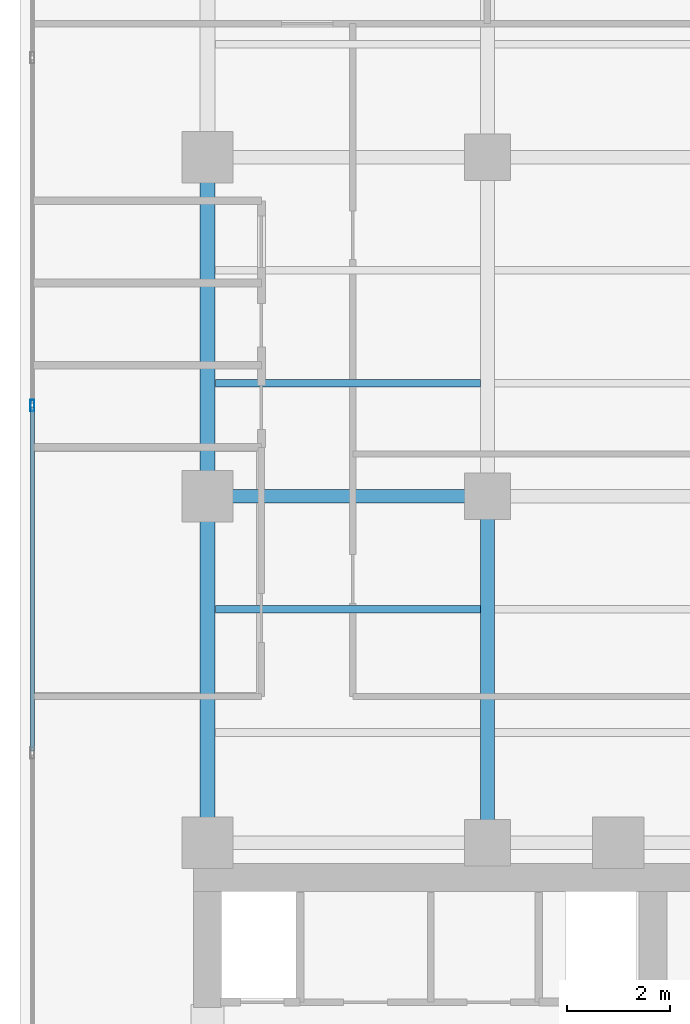
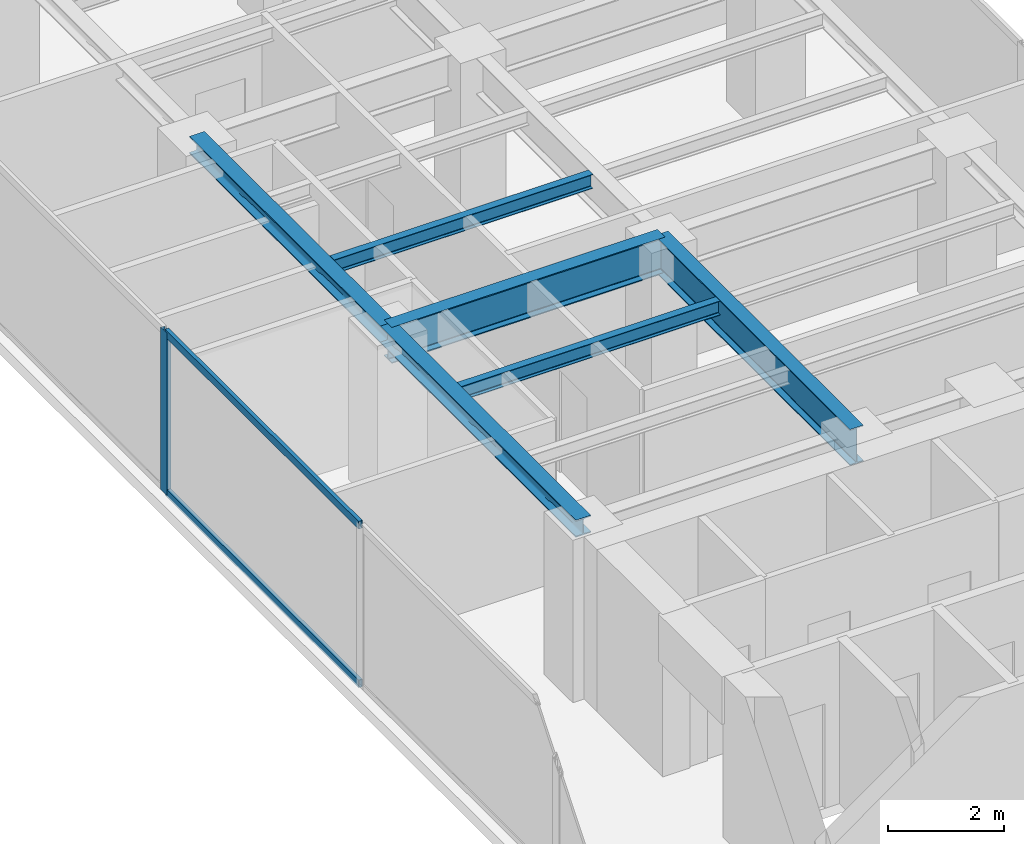
# One storey, part 8 of 24: 6 beams, 3 members, 1 element without a shape of its own.
"""IFC4 building model written with IfcOpenShell, lengths in metres."""

from ifc_helpers import new_model, si_unit, direction, frame, origin, origin_with_axes, origin_2d, place, context, subcontext, project, spatial, hollow_rectangle, i_section, extrude, source, transform, mapped, material, layer, layer_set, material_profile, profile_set, type_object, element, aggregate, save


model = new_model("IFC4")

# Units and contexts
model_context = context("Model", 3, precision=1e-05, world=origin(), true_north=direction((0.0, 1.0)))
body_context = subcontext(model_context, "Body", "Model", "MODEL_VIEW")
ifc_project = project(units=[si_unit("LENGTHUNIT", "METRE"), si_unit("AREAUNIT", "SQUARE_METRE"), si_unit("VOLUMEUNIT", "CUBIC_METRE"), si_unit("PLANEANGLEUNIT", "RADIAN"), si_unit("MASSUNIT", "GRAM", prefix="KILO")], contexts=[model_context])

# Site, building, storey
site_placement = place(None, origin())
site = spatial("IfcSite", under=ifc_project, at=site_placement, CompositionType="ELEMENT")
building_placement = place(site_placement, origin())
building = spatial("IfcBuilding", under=site, at=building_placement, Name="Kolvaren Waterfront Exchange", CompositionType="ELEMENT")
storey_placement = place(building_placement, frame((0.0, 0.0, 253.89990234375)))
storey = spatial("IfcBuildingStorey", under=building, at=storey_placement, Name="L65", CompositionType="ELEMENT", Elevation=253.89990234375)

# Beams
ifc_material_1 = material(Name="Steel S355", Category="steel")
ifc_material_profile_1 = material_profile(ifc_material_1, i_section(OverallWidth=0.300048828125, OverallDepth=0.360107421875, WebThickness=0.012451171875, FlangeThickness=0.0224609375, FilletRadius=0.027099609375, at=origin_2d()), Name="HEB360")
ifc_profile_set_1 = profile_set([ifc_material_profile_1], Name="Steel S355")
beam_type_1 = type_object("IfcBeamType", Name="STR-BM-HEB360", PredefinedType="SPANDREL", material=ifc_profile_set_1)
beam_1_placement = place(storey_placement, frame((7.449951171875, 24.449951171875, 3.239990234375), z_axis=(0.0, 1.0, 0.0), x_axis=(-1.0, 0.0, 0.0)))
element("IfcBeam", 1, at=beam_1_placement, inside=storey, type_object=beam_type_1, Name="L65 north-arm edge beam 1", PredefinedType="SPANDREL", context=body_context, shape_type="SweptSolid", body=[
    extrude(i_section(OverallWidth=0.300048828125, OverallDepth=0.360107421875, WebThickness=0.012451171875, FlangeThickness=0.0224609375, FilletRadius=0.027099609375, at=origin_2d()), origin(), (0.0, 0.0, 1.0), 6.75),
])
beam_2_placement = place(storey_placement, frame((7.449951171875, 31.199951171875, 3.239990234375), z_axis=(0.0, 1.0, 0.0), x_axis=(-1.0, 0.0, 0.0)))
element("IfcBeam", 2, at=beam_2_placement, inside=storey, type_object=beam_type_1, Name="L65 north-arm edge beam 2", PredefinedType="SPANDREL", context=body_context, shape_type="SweptSolid", body=[
    extrude(i_section(OverallWidth=0.300048828125, OverallDepth=0.360107421875, WebThickness=0.012451171875, FlangeThickness=0.0224609375, FilletRadius=0.027099609375, at=origin_2d()), origin(), (0.0, 0.0, 1.0), 6.60009765625),
])
ifc_material_profile_2 = material_profile(ifc_material_1, i_section(OverallWidth=0.14990234375, OverallDepth=0.300048828125, WebThickness=0.007080078125, FlangeThickness=0.0107421875, FilletRadius=0.014892578125, at=origin_2d()), Name="IPE300")
ifc_profile_set_2 = profile_set([ifc_material_profile_2], Name="Steel S355")
beam_type_2 = type_object("IfcBeamType", Name="STR-BM-IPE300", PredefinedType="JOIST", material=ifc_profile_set_2)
for number, where, z_axis, x_axis, name in (
    (3, (7.60205078125, 29.0, 3.27001953125), (1.0, 0.0, 0.0), (0.0, 1.0, 0.0), "L65 north-arm composite joist 2A"),
    (4, (7.60205078125, 33.39990234375, 3.27001953125), (1.0, 0.0, 0.0), (0.0, 1.0, 0.0), "L65 north-arm composite joist 3A"),
):
    element("IfcBeam", number, at=place(storey_placement, frame(where, z_axis=z_axis, x_axis=x_axis)), inside=storey, type_object=beam_type_2, Name=name, PredefinedType="JOIST", context=body_context, shape_type="SweptSolid", body=[
        extrude(i_section(OverallWidth=0.14990234375, OverallDepth=0.300048828125, WebThickness=0.007080078125, FlangeThickness=0.0107421875, FilletRadius=0.014892578125, at=origin_2d()), origin(), (0.0, 0.0, 1.0), 5.162353515625),
    ])
ifc_material_profile_3 = material_profile(ifc_material_1, i_section(OverallWidth=0.26708984375, OverallDepth=0.761962890625, WebThickness=0.014404296875, FlangeThickness=0.021484375, FilletRadius=0.01708984375, at=origin_2d()), Name="IPE750x173")
ifc_profile_set_3 = profile_set([ifc_material_profile_3], Name="Steel S355")
beam_type_3 = type_object("IfcBeamType", Name="STR-BM-IPE750", PredefinedType="BEAM", material=ifc_profile_set_3)
beam_3_placement = place(storey_placement, frame((7.449951171875, 31.199951171875, 3.0390625), z_axis=(1.0, 0.0, 0.0), x_axis=(0.0, 1.0, 0.0)))
element("IfcBeam", 5, at=beam_3_placement, inside=storey, type_object=beam_type_3, Name="L65 north-arm girder 2A", PredefinedType="BEAM", context=body_context, shape_type="SweptSolid", body=[
    extrude(i_section(OverallWidth=0.26708984375, OverallDepth=0.761962890625, WebThickness=0.014404296875, FlangeThickness=0.021484375, FilletRadius=0.01708984375, at=origin_2d()), origin(), (0.0, 0.0, 1.0), 5.449951171875),
])
beam_4_placement = place(storey_placement, frame((12.89990234375, 24.449951171875, 3.0390625), z_axis=(0.0, 1.0, 0.0), x_axis=(-1.0, 0.0, 0.0)))
element("IfcBeam", 6, at=beam_4_placement, inside=storey, type_object=beam_type_3, Name="L65 north-arm edge beam 1", PredefinedType="BEAM", context=body_context, shape_type="SweptSolid", body=[
    extrude(i_section(OverallWidth=0.26708984375, OverallDepth=0.761962890625, WebThickness=0.014404296875, FlangeThickness=0.021484375, FilletRadius=0.01708984375, at=origin_2d()), origin(), (0.0, 0.0, 1.0), 6.75),
])

# Curtain wall, members
ifc_material_2 = material(Name="Anodised aluminium 6063-T6", Category="aluminium")
ifc_layer = layer(ifc_material_2, 0.219970703125, Name="Anodised aluminium 6063-T6")
ifc_layer_set = layer_set([ifc_layer], Name="Anodised aluminium 6063-T6")
curtain_wall_type = type_object("IfcCurtainWallType", Name="ARC-CW-SYS2", PredefinedType="USERDEFINED", material=ifc_layer_set)
curtain_wall_placement = place(storey_placement, origin())
curtain_wall = element("IfcCurtainWall", 7, at=curtain_wall_placement, inside=storey, type_object=curtain_wall_type, Name="L65 stick curtain wall CW2 (CW-L65-W)", ObjectType="STICK CURTAIN WALL", PredefinedType="USERDEFINED")
ifc_material_profile_4 = material_profile(ifc_material_2, hollow_rectangle(XDim=0.074951171875, YDim=0.159912109375, WallThickness=0.00439453125, at=origin_2d()), Name="ALU-TRN-160x75x4.5")
ifc_profile_set_4 = profile_set([ifc_material_profile_4], Name="Anodised aluminium 6063-T6")
member_type_1 = type_object("IfcMemberType", Name="ARC-CWT-160", PredefinedType="USERDEFINED", material=ifc_profile_set_4)
shared_shape_1 = source(origin_with_axes(), body_context, "Body", "SweptSolid", [
    extrude(hollow_rectangle(XDim=0.074951171875, YDim=0.159912109375, WallThickness=0.00439453125, at=origin_2d()), origin(), (0.0, 0.0, 1.0), 6.686767578125),
])
member_1_placement = place(storey_placement, frame((4.0400390625, 26.239990234375, 0.03759765625), z_axis=(0.0, 1.0, 0.0), x_axis=(-1.0, 0.0, 0.0)))
member_1 = element("IfcMember", 8, at=member_1_placement, type_object=member_type_1, Name="CW2 transom 4.1", ObjectType="TRANSOM", PredefinedType="USERDEFINED", context=body_context, shape_type="MappedRepresentation", body=[
    mapped(shared_shape_1, transform((0.0, 0.0, 0.0), x_axis=(1.0, 0.0, 0.0), y_axis=(0.0, 1.0, 0.0), z_axis=(0.0, 0.0, 1.0), scale=1.0)),
])
member_2_placement = place(storey_placement, frame((4.0400390625, 26.239990234375, 3.382568359375), z_axis=(0.0, 1.0, 0.0), x_axis=(-1.0, 0.0, 0.0)))
member_2 = element("IfcMember", 9, at=member_2_placement, type_object=member_type_1, Name="CW2 transom 4.2", ObjectType="TRANSOM", PredefinedType="USERDEFINED", context=body_context, shape_type="MappedRepresentation", body=[
    mapped(shared_shape_1, transform((0.0, 0.0, 0.0), x_axis=(1.0, 0.0, 0.0), y_axis=(0.0, 1.0, 0.0), z_axis=(0.0, 0.0, 1.0), scale=1.0)),
])
ifc_material_profile_5 = material_profile(ifc_material_2, hollow_rectangle(XDim=0.080078125, YDim=0.219970703125, WallThickness=0.0048828125, at=origin_2d()), Name="ALU-MUL-220x80x5")
ifc_profile_set_5 = profile_set([ifc_material_profile_5], Name="Anodised aluminium 6063-T6")
member_type_2 = type_object("IfcMemberType", Name="ARC-CWM-220", PredefinedType="MULLION", material=ifc_profile_set_5)
shared_shape_2 = source(origin_with_axes(), body_context, "Body", "SweptSolid", [
    extrude(hollow_rectangle(XDim=0.080078125, YDim=0.219970703125, WallThickness=0.0048828125, at=origin_2d()), origin(), (0.0, 0.0, 1.0), 3.420166015625),
])
member_3_placement = place(storey_placement, frame((4.0400390625, 32.966552734375, 0.0), z_axis=(0.0, 0.0, 1.0), x_axis=(-1.0, 0.0, 0.0)))
member_3 = element("IfcMember", 10, at=member_3_placement, type_object=member_type_2, Name="CW2 mullion 5", PredefinedType="MULLION", context=body_context, shape_type="MappedRepresentation", body=[
    mapped(shared_shape_2, transform((0.0, 0.0, 0.0), x_axis=(1.0, 0.0, 0.0), y_axis=(0.0, 1.0, 0.0), z_axis=(0.0, 0.0, 1.0), scale=1.0)),
])
aggregate(curtain_wall, [member_3, member_1, member_2])

save(model, "model.ifc")
